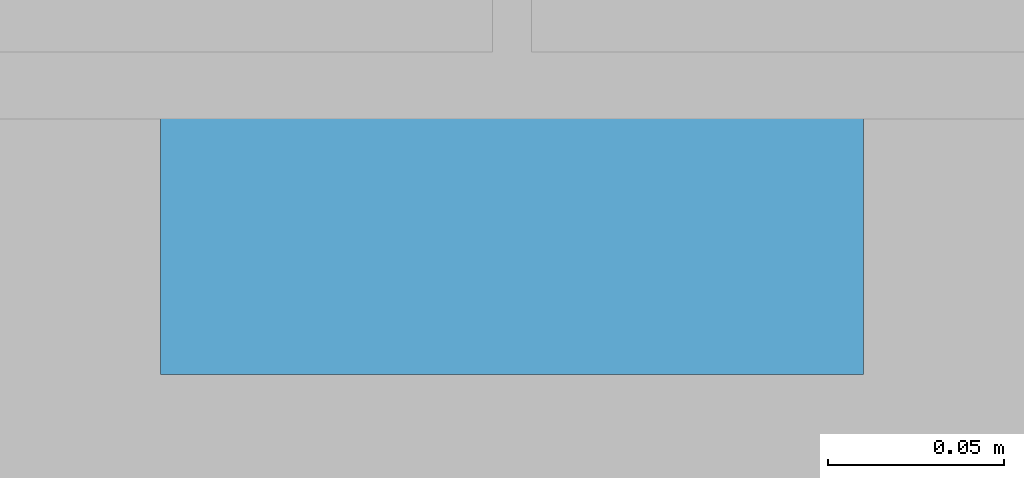
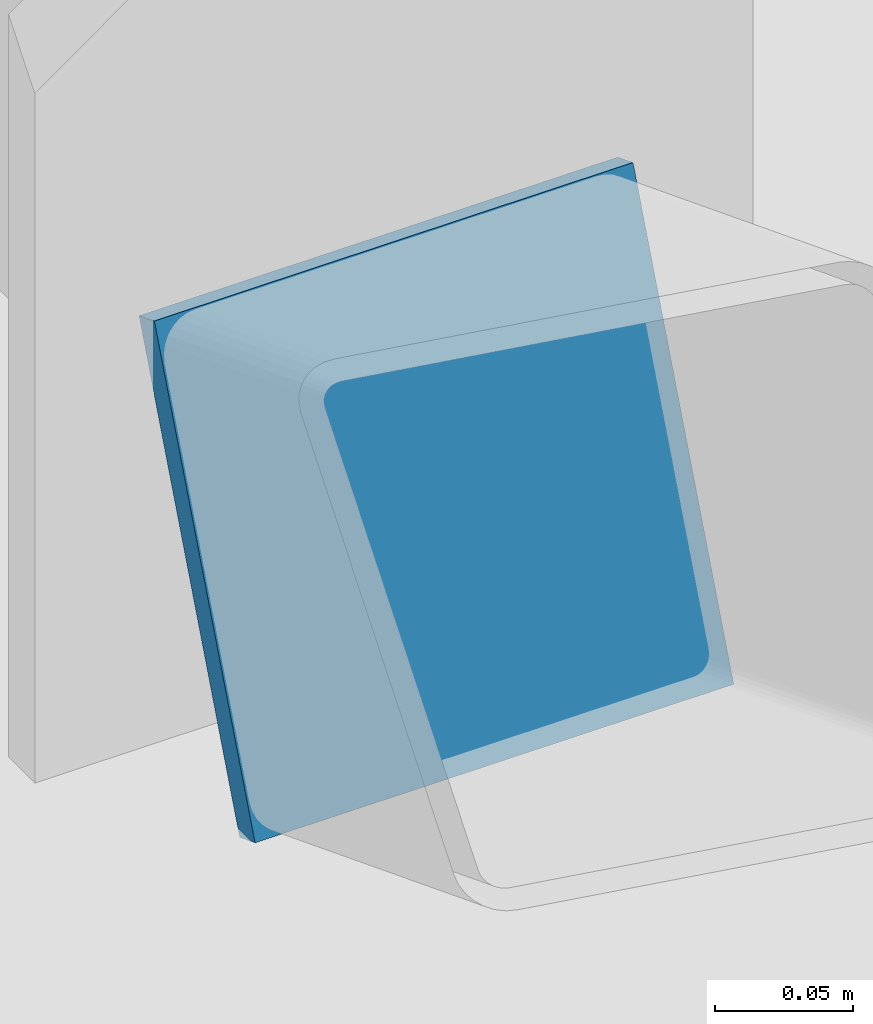
# One storey, part 111 of 132: 1 discrete accessory.
"""IFC4 building model written with IfcOpenShell, lengths in metres."""

from ifc_helpers import new_model, si_unit, direction, frame, origin, origin_2d, place, context, subcontext, project, spatial, rectangle, extrude, material, material_profile, profile_set, type_object, element, save


model = new_model("IFC4")

# Units and contexts
model_context = context("Model", 3, precision=1e-05, world=origin(), true_north=direction((0.0, 1.0)))
body_context = subcontext(model_context, "Body", "Model", "MODEL_VIEW")
ifc_project = project(units=[si_unit("LENGTHUNIT", "METRE"), si_unit("AREAUNIT", "SQUARE_METRE"), si_unit("VOLUMEUNIT", "CUBIC_METRE"), si_unit("PLANEANGLEUNIT", "RADIAN"), si_unit("MASSUNIT", "GRAM", prefix="KILO")], contexts=[model_context])

# Site, building, storey
site_placement = place(None, origin())
site = spatial("IfcSite", under=ifc_project, at=site_placement, CompositionType="ELEMENT")
building_placement = place(site_placement, origin())
building = spatial("IfcBuilding", under=site, at=building_placement, Name="Ravi Spectrum Wholesale Market", CompositionType="ELEMENT")
storey_placement = place(building_placement, origin())
storey = spatial("IfcBuildingStorey", under=building, at=storey_placement, Name="L00", CompositionType="ELEMENT", Elevation=0.0)

# Discrete accessory
ifc_material = material(Name="Steel S355", Category="steel")
ifc_material_profile = material_profile(ifc_material, rectangle(XDim=0.199951171875, YDim=0.199951171875, at=origin_2d()))
ifc_profile_set = profile_set([ifc_material_profile], Name="Steel S355")
discrete_accessory_type = type_object("IfcDiscreteAccessoryType", Name="End plate SHS 200x200x8", PredefinedType="BRACKET", material=ifc_profile_set)
discrete_accessory_placement = place(storey_placement, frame((60.0, 233.813720703125, 0.09326171875), z_axis=(0.0, 0.931242779706, -0.364399348581), x_axis=(-1.0, 0.0, 0.0)))
element("IfcDiscreteAccessory", 1, at=discrete_accessory_placement, inside=storey, type_object=discrete_accessory_type, Name="End plate", PredefinedType="BRACKET", context=body_context, shape_type="SweptSolid", body=[
    extrude(rectangle(XDim=0.199951171875, YDim=0.199951171875, at=origin_2d()), origin(), (0.0, 0.0, 1.0), 0.011962890625),
])

save(model, "model.ifc")
